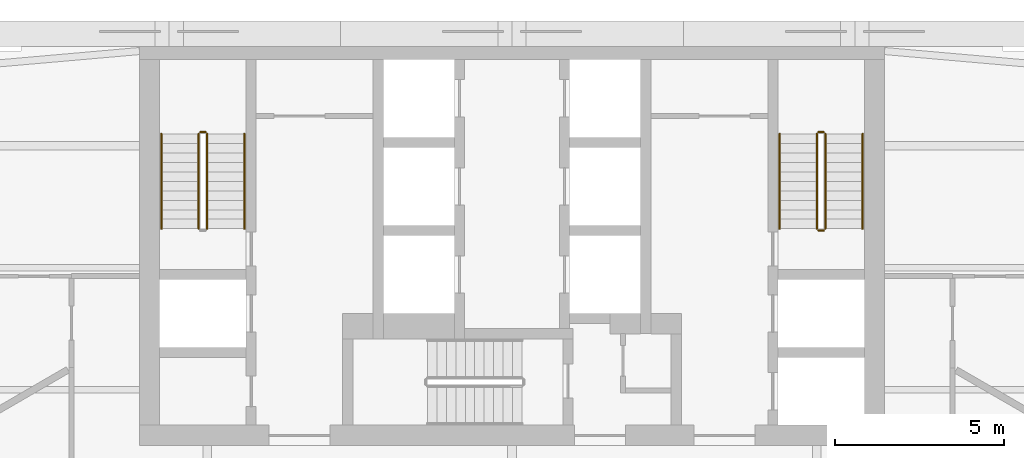
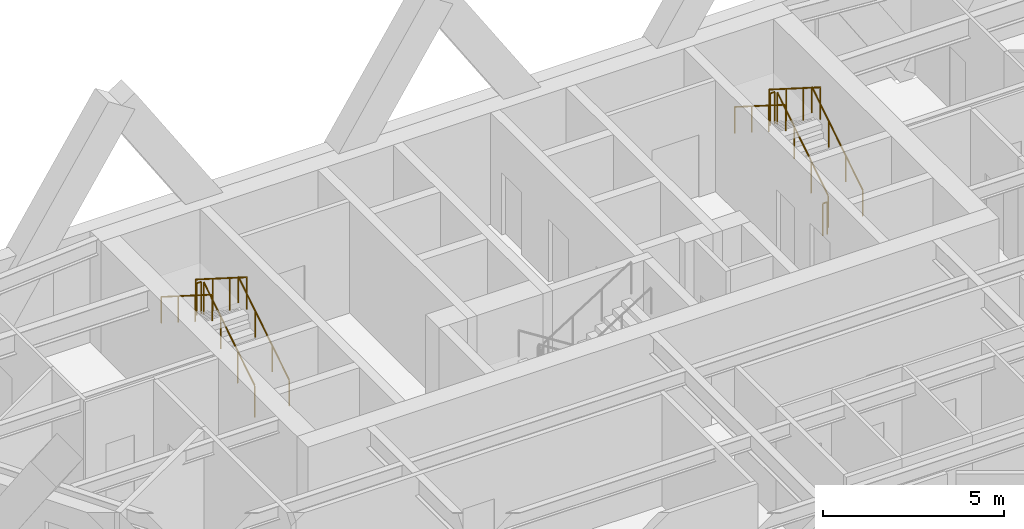
# One storey, part 9 of 9: 11 railings.
"""IFC4 building model written with IfcOpenShell, lengths in metres."""

from ifc_helpers import new_model, si_unit, direction, frame, origin, origin_2d, place, context, subcontext, project, spatial, circle, extrude, material, type_object, element, save


model = new_model("IFC4")

# Units and contexts
model_context = context("Model", 3, precision=1e-05, world=origin(), true_north=direction((0.0, 1.0)))
body_context = subcontext(model_context, "Body", "Model", "MODEL_VIEW")
ifc_project = project(units=[si_unit("LENGTHUNIT", "METRE"), si_unit("AREAUNIT", "SQUARE_METRE"), si_unit("VOLUMEUNIT", "CUBIC_METRE"), si_unit("PLANEANGLEUNIT", "RADIAN"), si_unit("MASSUNIT", "GRAM", prefix="KILO")], contexts=[model_context])

# Site, building, storey
site_placement = place(None, origin())
site = spatial("IfcSite", under=ifc_project, at=site_placement, CompositionType="ELEMENT")
building_placement = place(site_placement, origin())
building = spatial("IfcBuilding", under=site, at=building_placement, Name="Aloe Facet Convention Tower", CompositionType="ELEMENT")
storey_placement = place(building_placement, frame((0.0, 0.0, 152.0)))
storey = spatial("IfcBuildingStorey", under=building, at=storey_placement, Name="L38", CompositionType="ELEMENT", Elevation=152.0)

# Railings
ifc_material_1 = material(Name="Steel S355 balustrade", Category="steel")
railing_type_1 = type_object("IfcRailingType", Name="CR-RL-GUARD", PredefinedType="GUARDRAIL", material=ifc_material_1)
railing_1_placement = place(storey_placement, frame((71.0, 128.949951171875, 0.17724609375)))
element("IfcRailing", 1, at=railing_1_placement, inside=storey, type_object=railing_type_1, Name="L38 ST1 stair guard 1", PredefinedType="GUARDRAIL", context=body_context, shape_type="SweptSolid", body=[
    extrude(circle(Radius=0.02392578125, at=origin_2d()), frame((0.0, 0.0, 1.076171875), z_axis=(0.0, 0.844908973607, 0.534910110503), x_axis=(-1.0, 0.0, 0.0)), (0.0, 0.0, 1.0), 3.31396484375),
    extrude(circle(Radius=0.02099609375, at=origin_2d()), origin(), (0.0, 0.0, 1.0), 1.052001953125),
    extrude(circle(Radius=0.02099609375, at=origin_2d()), frame((0.0, 0.933349609375, 0.5908203125)), (0.0, 0.0, 1.0), 1.052001953125),
    extrude(circle(Radius=0.02099609375, at=origin_2d()), frame((0.0, 1.86669921875, 1.181884765625)), (0.0, 0.0, 1.0), 1.052001953125),
    extrude(circle(Radius=0.02099609375, at=origin_2d()), frame((0.0, 2.800048828125, 1.772705078125)), (0.0, 0.0, 1.0), 1.052001953125),
])
railing_2_placement = place(storey_placement, frame((70.949951171875, 131.800048828125, 1.949951171875)))
element("IfcRailing", 2, at=railing_2_placement, inside=storey, type_object=railing_type_1, Name="L38 ST1 stair guard 2", PredefinedType="GUARDRAIL", context=body_context, shape_type="SweptSolid", body=[
    extrude(circle(Radius=0.02392578125, at=origin_2d()), frame((0.0, 0.0, 1.076171875), z_axis=(-1.0, 0.0, 0.0), x_axis=(0.0, -1.0, 0.0)), (0.0, 0.0, 1.0), 0.14990234375),
    extrude(circle(Radius=0.02099609375, at=origin_2d()), origin(), (0.0, 0.0, 1.0), 1.052001953125),
    extrude(circle(Radius=0.02099609375, at=origin_2d()), frame((-0.14990234375, 0.0, 0.0)), (0.0, 0.0, 1.0), 1.052001953125),
])
railing_3_placement = place(storey_placement, frame((70.75, 131.75, 2.127197265625)))
element("IfcRailing", 3, at=railing_3_placement, inside=storey, type_object=railing_type_1, Name="L38 ST1 stair guard 3", PredefinedType="GUARDRAIL", context=body_context, shape_type="SweptSolid", body=[
    extrude(circle(Radius=0.02392578125, at=origin_2d()), frame((0.0, 0.0, 1.076171875), z_axis=(0.0, -0.844908973607, 0.534910110503), x_axis=(1.0, 0.0, 0.0)), (0.0, 0.0, 1.0), 3.31396484375),
    extrude(circle(Radius=0.02099609375, at=origin_2d()), origin(), (0.0, 0.0, 1.0), 1.052001953125),
    extrude(circle(Radius=0.02099609375, at=origin_2d()), frame((0.0, -0.933349609375, 0.5908203125)), (0.0, 0.0, 1.0), 1.052001953125),
    extrude(circle(Radius=0.02099609375, at=origin_2d()), frame((0.0, -1.86669921875, 1.181884765625)), (0.0, 0.0, 1.0), 1.052001953125),
    extrude(circle(Radius=0.02099609375, at=origin_2d()), frame((0.0, -2.800048828125, 1.772705078125)), (0.0, 0.0, 1.0), 1.052001953125),
])
railing_4_placement = place(storey_placement, frame((89.25, 128.949951171875, 0.17724609375)))
element("IfcRailing", 4, at=railing_4_placement, inside=storey, type_object=railing_type_1, Name="L38 ST2 stair guard 1", PredefinedType="GUARDRAIL", context=body_context, shape_type="SweptSolid", body=[
    extrude(circle(Radius=0.02392578125, at=origin_2d()), frame((0.0, 0.0, 1.076171875), z_axis=(0.0, 0.844908973607, 0.534910110503), x_axis=(-1.0, 0.0, 0.0)), (0.0, 0.0, 1.0), 3.31396484375),
    extrude(circle(Radius=0.02099609375, at=origin_2d()), origin(), (0.0, 0.0, 1.0), 1.052001953125),
    extrude(circle(Radius=0.02099609375, at=origin_2d()), frame((0.0, 0.933349609375, 0.5908203125)), (0.0, 0.0, 1.0), 1.052001953125),
    extrude(circle(Radius=0.02099609375, at=origin_2d()), frame((0.0, 1.86669921875, 1.181884765625)), (0.0, 0.0, 1.0), 1.052001953125),
    extrude(circle(Radius=0.02099609375, at=origin_2d()), frame((0.0, 2.800048828125, 1.772705078125)), (0.0, 0.0, 1.0), 1.052001953125),
])
railing_5_placement = place(storey_placement, frame((89.199951171875, 131.800048828125, 1.949951171875)))
element("IfcRailing", 5, at=railing_5_placement, inside=storey, type_object=railing_type_1, Name="L38 ST2 stair guard 2", PredefinedType="GUARDRAIL", context=body_context, shape_type="SweptSolid", body=[
    extrude(circle(Radius=0.02392578125, at=origin_2d()), frame((0.0, 0.0, 1.076171875), z_axis=(-1.0, 0.0, 0.0), x_axis=(0.0, -1.0, 0.0)), (0.0, 0.0, 1.0), 0.14990234375),
    extrude(circle(Radius=0.02099609375, at=origin_2d()), origin(), (0.0, 0.0, 1.0), 1.052001953125),
    extrude(circle(Radius=0.02099609375, at=origin_2d()), frame((-0.14990234375, 0.0, 0.0)), (0.0, 0.0, 1.0), 1.052001953125),
])
railing_6_placement = place(storey_placement, frame((89.0, 131.75, 2.127197265625)))
element("IfcRailing", 6, at=railing_6_placement, inside=storey, type_object=railing_type_1, Name="L38 ST2 stair guard 3", PredefinedType="GUARDRAIL", context=body_context, shape_type="SweptSolid", body=[
    extrude(circle(Radius=0.02392578125, at=origin_2d()), frame((0.0, 0.0, 1.076171875), z_axis=(0.0, -0.844908973607, 0.534910110503), x_axis=(1.0, 0.0, 0.0)), (0.0, 0.0, 1.0), 3.31396484375),
    extrude(circle(Radius=0.02099609375, at=origin_2d()), origin(), (0.0, 0.0, 1.0), 1.052001953125),
    extrude(circle(Radius=0.02099609375, at=origin_2d()), frame((0.0, -0.933349609375, 0.5908203125)), (0.0, 0.0, 1.0), 1.052001953125),
    extrude(circle(Radius=0.02099609375, at=origin_2d()), frame((0.0, -1.86669921875, 1.181884765625)), (0.0, 0.0, 1.0), 1.052001953125),
    extrude(circle(Radius=0.02099609375, at=origin_2d()), frame((0.0, -2.800048828125, 1.772705078125)), (0.0, 0.0, 1.0), 1.052001953125),
])
railing_7_placement = place(storey_placement, frame((89.199951171875, 128.89990234375, 0.0)))
element("IfcRailing", 7, at=railing_7_placement, inside=storey, type_object=railing_type_1, Name="L38 ST2 stair guard 4", PredefinedType="GUARDRAIL", context=body_context, shape_type="SweptSolid", body=[
    extrude(circle(Radius=0.02392578125, at=origin_2d()), frame((0.0, 0.0, 1.076171875), z_axis=(-1.0, 0.0, 0.0), x_axis=(0.0, -1.0, 0.0)), (0.0, 0.0, 1.0), 0.14990234375),
    extrude(circle(Radius=0.02099609375, at=origin_2d()), origin(), (0.0, 0.0, 1.0), 1.052001953125),
    extrude(circle(Radius=0.02099609375, at=origin_2d()), frame((-0.14990234375, 0.0, 0.0)), (0.0, 0.0, 1.0), 1.052001953125),
])
ifc_material_2 = material(Name="Steel S355 handrail", Category="steel")
railing_type_2 = type_object("IfcRailingType", Name="CR-RL-HAND", PredefinedType="HANDRAIL", material=ifc_material_2)
railing_8_placement = place(storey_placement, frame((72.10009765625, 128.949951171875, 0.17724609375)))
element("IfcRailing", 8, at=railing_8_placement, inside=storey, type_object=railing_type_2, Name="L38 ST1 stair handrail 1", PredefinedType="HANDRAIL", context=body_context, shape_type="SweptSolid", body=[
    extrude(circle(Radius=0.02392578125, at=origin_2d()), frame((0.0, 0.0, 0.8759765625), z_axis=(0.0, 0.844908973607, 0.534910110503), x_axis=(-1.0, 0.0, 0.0)), (0.0, 0.0, 1.0), 3.31396484375),
    extrude(circle(Radius=0.02099609375, at=origin_2d()), origin(), (0.0, 0.0, 1.0), 0.851806640625),
    extrude(circle(Radius=0.02099609375, at=origin_2d()), frame((0.0, 0.933349609375, 0.5908203125)), (0.0, 0.0, 1.0), 0.851806640625),
    extrude(circle(Radius=0.02099609375, at=origin_2d()), frame((0.0, 1.86669921875, 1.181884765625)), (0.0, 0.0, 1.0), 0.851806640625),
    extrude(circle(Radius=0.02099609375, at=origin_2d()), frame((0.0, 2.800048828125, 1.772705078125)), (0.0, 0.0, 1.0), 0.851806640625),
])
railing_9_placement = place(storey_placement, frame((69.64990234375, 131.75, 2.127197265625)))
element("IfcRailing", 9, at=railing_9_placement, inside=storey, type_object=railing_type_2, Name="L38 ST1 stair handrail 2", PredefinedType="HANDRAIL", context=body_context, shape_type="SweptSolid", body=[
    extrude(circle(Radius=0.02392578125, at=origin_2d()), frame((0.0, 0.0, 0.8759765625), z_axis=(0.0, -0.844908973607, 0.534910110503), x_axis=(1.0, 0.0, 0.0)), (0.0, 0.0, 1.0), 3.31396484375),
    extrude(circle(Radius=0.02099609375, at=origin_2d()), origin(), (0.0, 0.0, 1.0), 0.851806640625),
    extrude(circle(Radius=0.02099609375, at=origin_2d()), frame((0.0, -0.933349609375, 0.5908203125)), (0.0, 0.0, 1.0), 0.851806640625),
    extrude(circle(Radius=0.02099609375, at=origin_2d()), frame((0.0, -1.86669921875, 1.181884765625)), (0.0, 0.0, 1.0), 0.851806640625),
    extrude(circle(Radius=0.02099609375, at=origin_2d()), frame((0.0, -2.800048828125, 1.772705078125)), (0.0, 0.0, 1.0), 0.851806640625),
])
railing_10_placement = place(storey_placement, frame((90.35009765625, 128.949951171875, 0.17724609375)))
element("IfcRailing", 10, at=railing_10_placement, inside=storey, type_object=railing_type_2, Name="L38 ST2 stair handrail 1", PredefinedType="HANDRAIL", context=body_context, shape_type="SweptSolid", body=[
    extrude(circle(Radius=0.02392578125, at=origin_2d()), frame((0.0, 0.0, 0.8759765625), z_axis=(0.0, 0.844908973607, 0.534910110503), x_axis=(-1.0, 0.0, 0.0)), (0.0, 0.0, 1.0), 3.31396484375),
    extrude(circle(Radius=0.02099609375, at=origin_2d()), origin(), (0.0, 0.0, 1.0), 0.851806640625),
    extrude(circle(Radius=0.02099609375, at=origin_2d()), frame((0.0, 0.933349609375, 0.5908203125)), (0.0, 0.0, 1.0), 0.851806640625),
    extrude(circle(Radius=0.02099609375, at=origin_2d()), frame((0.0, 1.86669921875, 1.181884765625)), (0.0, 0.0, 1.0), 0.851806640625),
    extrude(circle(Radius=0.02099609375, at=origin_2d()), frame((0.0, 2.800048828125, 1.772705078125)), (0.0, 0.0, 1.0), 0.851806640625),
])
railing_11_placement = place(storey_placement, frame((87.89990234375, 131.75, 2.127197265625)))
element("IfcRailing", 11, at=railing_11_placement, inside=storey, type_object=railing_type_2, Name="L38 ST2 stair handrail 2", PredefinedType="HANDRAIL", context=body_context, shape_type="SweptSolid", body=[
    extrude(circle(Radius=0.02392578125, at=origin_2d()), frame((0.0, 0.0, 0.8759765625), z_axis=(0.0, -0.844908973607, 0.534910110503), x_axis=(1.0, 0.0, 0.0)), (0.0, 0.0, 1.0), 3.31396484375),
    extrude(circle(Radius=0.02099609375, at=origin_2d()), origin(), (0.0, 0.0, 1.0), 0.851806640625),
    extrude(circle(Radius=0.02099609375, at=origin_2d()), frame((0.0, -0.933349609375, 0.5908203125)), (0.0, 0.0, 1.0), 0.851806640625),
    extrude(circle(Radius=0.02099609375, at=origin_2d()), frame((0.0, -1.86669921875, 1.181884765625)), (0.0, 0.0, 1.0), 0.851806640625),
    extrude(circle(Radius=0.02099609375, at=origin_2d()), frame((0.0, -2.800048828125, 1.772705078125)), (0.0, 0.0, 1.0), 0.851806640625),
])

save(model, "model.ifc")
